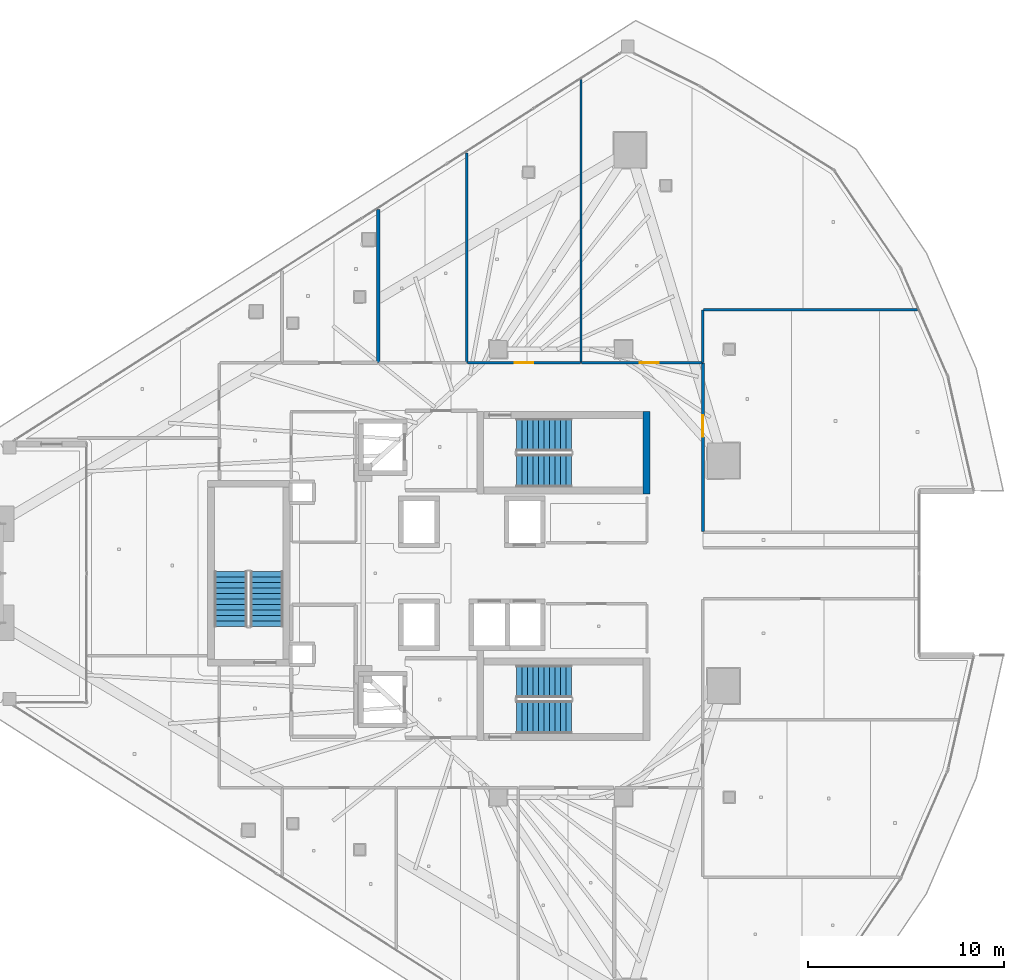
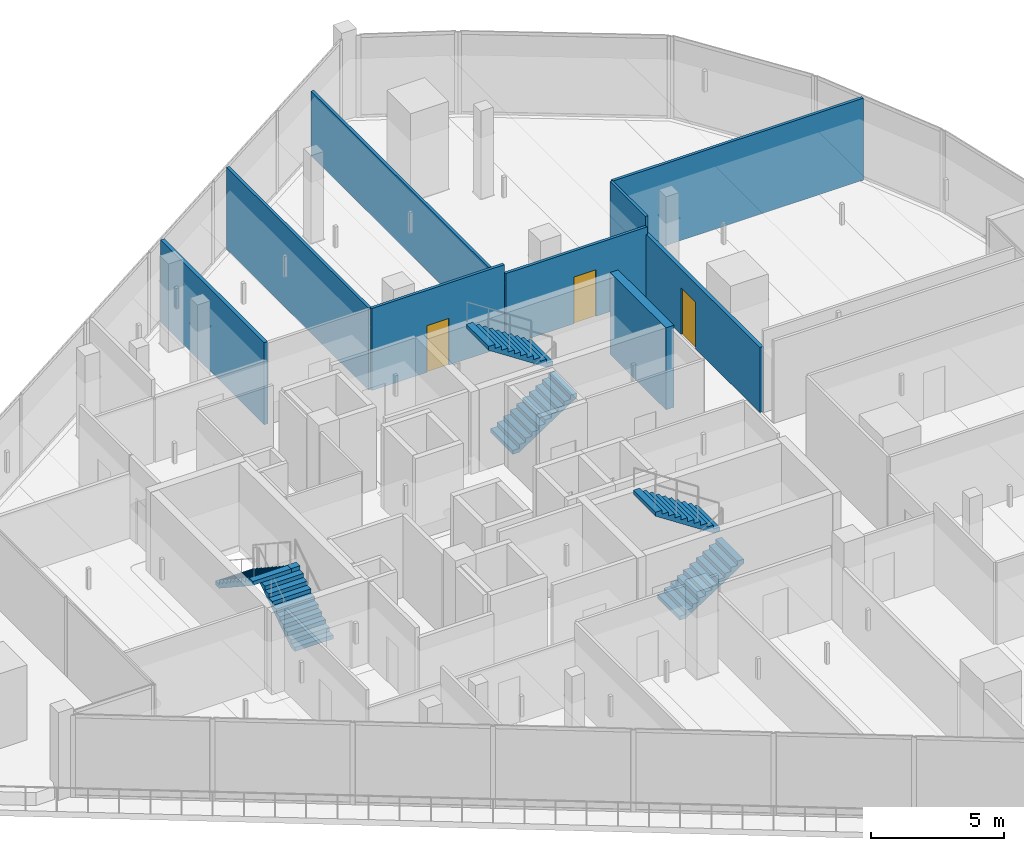
# One storey, part 28 of 36: 9 walls, 6 stair flights, 3 doors, 3 openings, 3 elements without a shape of their own.
"""IFC4 building model written with IfcOpenShell, lengths in metres."""

from ifc_helpers import new_model, si_unit, direction, frame, frame_2d, origin, place, context, subcontext, project, spatial, polyline, rectangle, outline, extrude, material, layer, layer_set, type_object, element, fill, aggregate, save


model = new_model("IFC4")

# Units and contexts
model_context = context("Model", 3, precision=1e-05, world=origin(), true_north=direction((0.0, 1.0)))
body_context = subcontext(model_context, "Body", "Model", "MODEL_VIEW")
ifc_project = project(units=[si_unit("LENGTHUNIT", "METRE"), si_unit("AREAUNIT", "SQUARE_METRE"), si_unit("VOLUMEUNIT", "CUBIC_METRE"), si_unit("PLANEANGLEUNIT", "RADIAN"), si_unit("MASSUNIT", "GRAM", prefix="KILO")], contexts=[model_context])

# Site, building, storey
site_placement = place(None, origin())
site = spatial("IfcSite", under=ifc_project, at=site_placement, CompositionType="ELEMENT")
building_placement = place(site_placement, origin())
building = spatial("IfcBuilding", under=site, at=building_placement, Name="Qorvath Tower", CompositionType="ELEMENT")
storey_placement = place(building_placement, frame((0.0, 0.0, 229.35009765625)))
storey = spatial("IfcBuildingStorey", under=building, at=storey_placement, Name="L53", CompositionType="ELEMENT", Elevation=229.35009765625)

# Wall
ifc_material_1 = material(Name="Double acoustic gypsum board on steel studs", Category="steel")
ifc_layer_1 = layer(ifc_material_1, 0.159912109375)
ifc_layer_set_1 = layer_set([ifc_layer_1], Name="IW-ACOUSTIC-160")
wall_type_1 = type_object("IfcWallType", Name="IW-ACOUSTIC-160", PredefinedType="PARTITIONING", material=ifc_layer_set_1)
wall_1_placement = place(storey_placement, frame((-29.73876953125, 10.783203125, 0.0), z_axis=(0.0, 0.0, 1.0), x_axis=(0.0, 1.0, 0.0)))
element("IfcWall", 1, at=wall_1_placement, inside=storey, type_object=wall_type_1, Name="Interior Partition IW-T1-L53-022", PredefinedType="PARTITIONING", context=body_context, shape_type="SweptSolid", body=[
    extrude(rectangle(XDim=7.81787109375, YDim=0.159912109375, at=frame_2d((3.908935546875, 0.0))), origin(), (0.0, 0.0, 1.0), 3.77978515625),
])

# Wall, opening, door
wall_2_placement = place(storey_placement, frame((-13.14208984375, 10.75830078125, 0.0), z_axis=(0.0, 0.0, 1.0), x_axis=(0.0, -1.0, 0.0)))
wall_2 = element("IfcWall", 2, at=wall_2_placement, inside=storey, type_object=wall_type_1, Name="Interior Partition IW-T1-L53-048", PredefinedType="PARTITIONING", context=body_context, shape_type="SweptSolid", body=[
    extrude(rectangle(XDim=8.6298828125, YDim=0.159912109375, at=frame_2d((4.31494140625, 0.0))), origin(), (0.0, 0.0, 1.0), 2.999755859375),
])
opening_1_placement = place(wall_2_placement, frame((2.689208984375, 0.0, 0.0)))
opening_1 = element("IfcOpeningElement", 3, at=opening_1_placement, cuts=wall_2, Name="Opening D-T1-L53-15", PredefinedType="OPENING", context=body_context, shape_type="SweptSolid", body=[
    extrude(rectangle(XDim=1.10009765625, YDim=2.14990234375, at=frame_2d((0.550048828125, 1.074951171875))), frame((0.0, 0.08984375, 0.0), z_axis=(0.0, -1.0, 0.0), x_axis=(1.0, 0.0, 0.0)), (0.0, 0.0, 1.0), 0.179931640625),
])
ifc_material_2 = material(Name="Anodised aluminium acoustic framed glass", Category="aluminium")
door_type_1 = type_object("IfcDoorType", Name="D-03", OperationType="NOTDEFINED", PredefinedType="DOOR", material=ifc_material_2)
door_1_placement = place(opening_1_placement, origin())
door_1 = element("IfcDoor", 4, at=door_1_placement, inside=storey, type_object=door_type_1, Name="L53-11 Enclosed Conference Suite Door D-T1-L53-15", OperationType="SINGLE_SWING_RIGHT", OverallHeight=2.14990234375, OverallWidth=1.10009765625, PredefinedType="DOOR", context=body_context, shape_type="SweptSolid", body=[
    extrude(rectangle(XDim=1.10009765625, YDim=2.14990234375, at=frame_2d((0.550048828125, 1.074951171875))), frame((0.0, 0.02490234375, 0.0), z_axis=(0.0, -1.0, 0.0), x_axis=(1.0, 0.0, 0.0)), (0.0, 0.0, 1.0), 0.050048828125),
])
fill(opening_1, door_1)

# Wall
ifc_material_3 = material(Name="Gypsum board on metal studs with mineral wool", Category="gypsum")
ifc_layer_2 = layer(ifc_material_3, 0.125)
ifc_layer_set_2 = layer_set([ifc_layer_2], Name="IW-PART-125")
wall_type_2 = type_object("IfcWallType", Name="IW-PART-125", PredefinedType="PARTITIONING", material=ifc_layer_set_2)
wall_3_placement = place(storey_placement, frame((-25.212890625, 10.783203125, 0.0), z_axis=(0.0, 0.0, 1.0), x_axis=(0.0, 1.0, 0.0)))
element("IfcWall", 5, at=wall_3_placement, inside=storey, type_object=wall_type_2, Name="Interior Partition IW-T1-L53-025", PredefinedType="PARTITIONING", context=body_context, shape_type="SweptSolid", body=[
    extrude(rectangle(XDim=10.71044921875, YDim=0.125, at=frame_2d((5.355224609375, 0.0))), origin(), (0.0, 0.0, 1.0), 3.77978515625),
])

# Wall, opening, door
wall_4_placement = place(storey_placement, frame((-25.1796875, 10.758056640625, 0.0), z_axis=(0.0, 0.0, 1.0), x_axis=(1.0, 0.0, 0.0)))
wall_4 = element("IfcWall", 6, at=wall_4_placement, inside=storey, type_object=wall_type_2, Name="Interior Partition IW-T1-L53-026", PredefinedType="PARTITIONING", context=body_context, shape_type="SweptSolid", body=[
    extrude(rectangle(XDim=5.78076171875, YDim=0.125, at=frame_2d((2.890380859375, 0.0))), origin(), (0.0, 0.0, 1.0), 3.77978515625),
])
opening_2_placement = place(wall_4_placement, frame((2.415283203125, 0.0, 0.0)))
opening_2 = element("IfcOpeningElement", 7, at=opening_2_placement, cuts=wall_4, Name="Opening D-T1-L53-07", PredefinedType="OPENING", context=body_context, shape_type="SweptSolid", body=[
    extrude(rectangle(XDim=0.949951171875, YDim=2.14990234375, at=frame_2d((0.47509765625, 1.074951171875))), frame((0.0, 0.072509765625, 0.0), z_axis=(0.0, -1.0, 0.0), x_axis=(1.0, 0.0, 0.0)), (0.0, 0.0, 1.0), 0.14501953125),
])
ifc_material_4 = material(Name="Solid-core American white oak veneer", Category="wood")
door_type_2 = type_object("IfcDoorType", Name="D-01", OperationType="NOTDEFINED", PredefinedType="DOOR", material=ifc_material_4)
door_2_placement = place(opening_2_placement, origin())
door_2 = element("IfcDoor", 8, at=door_2_placement, inside=storey, type_object=door_type_2, Name="L53-03 Staff Wellness Studio Door D-T1-L53-07", OperationType="SINGLE_SWING_RIGHT", OverallHeight=2.14990234375, OverallWidth=0.949951171875, PredefinedType="DOOR", context=body_context, shape_type="SweptSolid", body=[
    extrude(rectangle(XDim=0.949951171875, YDim=2.14990234375, at=frame_2d((0.47509765625, 1.074951171875))), frame((0.0, 0.02490234375, 0.0), z_axis=(0.0, -1.0, 0.0), x_axis=(1.0, 0.0, 0.0)), (0.0, 0.0, 1.0), 0.050048828125),
])
fill(opening_2, door_2)

# Wall
wall_5_placement = place(storey_placement, frame((-19.3740234375, 10.783203125, 0.0), z_axis=(0.0, 0.0, 1.0), x_axis=(0.0, 1.0, 0.0)))
element("IfcWall", 9, at=wall_5_placement, inside=storey, type_object=wall_type_2, Name="Interior Partition IW-T1-L53-027", PredefinedType="PARTITIONING", context=body_context, shape_type="SweptSolid", body=[
    extrude(rectangle(XDim=14.4423828125, YDim=0.125, at=frame_2d((7.22119140625, 0.0))), origin(), (0.0, 0.0, 1.0), 2.976806640625),
])

# Wall, opening, door
wall_6_placement = place(storey_placement, frame((-19.341064453125, 10.758056640625, 0.0), z_axis=(0.0, 0.0, 1.0), x_axis=(1.0, 0.0, 0.0)))
wall_6 = element("IfcWall", 10, at=wall_6_placement, inside=storey, type_object=wall_type_2, Name="Interior Partition IW-T1-L53-028", PredefinedType="PARTITIONING", context=body_context, shape_type="SweptSolid", body=[
    extrude(rectangle(XDim=6.166259765625, YDim=0.125, at=frame_2d((3.0830078125, 0.0))), origin(), (0.0, 0.0, 1.0), 3.343994140625),
])
opening_3_placement = place(wall_6_placement, frame((2.980712890625, 0.0, 0.0)))
opening_3 = element("IfcOpeningElement", 11, at=opening_3_placement, cuts=wall_6, Name="Opening D-T1-L53-08", PredefinedType="OPENING", context=body_context, shape_type="SweptSolid", body=[
    extrude(rectangle(XDim=0.949951171875, YDim=2.14990234375, at=frame_2d((0.47509765625, 1.074951171875))), frame((0.0, 0.072509765625, 0.0), z_axis=(0.0, -1.0, 0.0), x_axis=(1.0, 0.0, 0.0)), (0.0, 0.0, 1.0), 0.14501953125),
])
door_3_placement = place(opening_3_placement, origin())
door_3 = element("IfcDoor", 12, at=door_3_placement, inside=storey, type_object=door_type_2, Name="L53-04 Design Pin-Up Atelier Door D-T1-L53-08", OperationType="SINGLE_SWING_LEFT", OverallHeight=2.14990234375, OverallWidth=0.949951171875, PredefinedType="DOOR", context=body_context, shape_type="SweptSolid", body=[
    extrude(rectangle(XDim=0.949951171875, YDim=2.14990234375, at=frame_2d((0.47509765625, 1.074951171875))), frame((0.0, 0.02490234375, 0.0), z_axis=(0.0, -1.0, 0.0), x_axis=(1.0, 0.0, 0.0)), (0.0, 0.0, 1.0), 0.050048828125),
])
fill(opening_3, door_3)

# Walls
wall_7_placement = place(storey_placement, frame((-13.14990234375, 13.44677734375, 0.0), z_axis=(0.0, 0.0, 1.0), x_axis=(0.0, -1.0, 0.0)))
element("IfcWall", 13, at=wall_7_placement, inside=storey, type_object=wall_type_2, Name="Interior Partition IW-T1-L53-029", PredefinedType="PARTITIONING", context=body_context, shape_type="SweptSolid", body=[
    extrude(rectangle(XDim=2.66357421875, YDim=0.125, at=frame_2d((1.331787109375, 0.0))), origin(), (0.0, 0.0, 1.0), 3.77978515625),
])
wall_8_placement = place(storey_placement, frame((-13.125, 13.4716796875, 0.0), z_axis=(0.0, 0.0, 1.0), x_axis=(0.999999760561, 0.00069201046, 0.0)))
element("IfcWall", 14, at=wall_8_placement, inside=storey, type_object=wall_type_2, Name="Interior Partition IW-T1-L53-030", PredefinedType="PARTITIONING", context=body_context, shape_type="SweptSolid", body=[
    extrude(rectangle(XDim=10.936767578125, YDim=0.125, at=frame_2d((5.46826171875, 0.0))), origin(), (0.0, 0.0, 1.0), 3.77978515625),
])
ifc_material_5 = material(Name="Concrete C60/75", Category="concrete")
ifc_layer_3 = layer(ifc_material_5, 0.35009765625)
ifc_layer_set_3 = layer_set([ifc_layer_3], Name="SW-STAIR")
wall_type_3 = type_object("IfcWallType", Name="SW-STAIR", PredefinedType="SHEAR", material=ifc_layer_set_3)
wall_9_placement = place(storey_placement, frame((-16.02490234375, 4.050048828125, 0.0), z_axis=(0.0, 0.0, 1.0), x_axis=(0.0, 1.0, 0.0)))
element("IfcWall", 15, at=wall_9_placement, inside=storey, type_object=wall_type_3, Name="Stair TS1 Shear Wall L53 FAR", PredefinedType="SHEAR", context=body_context, shape_type="SweptSolid", body=[
    extrude(rectangle(XDim=4.2099609375, YDim=0.35009765625, at=frame_2d((2.10498046875, 0.0))), origin(), (0.0, 0.0, 1.0), 3.77978515625),
])

# Stair, stair flights
ifc_material_6 = material(Name="Concrete C50/60", Category="concrete")
stair_type = type_object("IfcStairType", Name="ST-H405", PredefinedType="HALF_TURN_STAIR", material=ifc_material_6)
stair_1_placement = place(storey_placement, origin())
stair_1 = element("IfcStair", 16, at=stair_1_placement, inside=storey, type_object=stair_type, Name="L53 Tower Exit Stair 1", PredefinedType="HALF_TURN_STAIR")
ifc_material_7 = material(Name="Concrete C50/60", Category="concrete")
ifc_layer_4 = layer(ifc_material_7, 0.14990234375)
ifc_layer_set_4 = layer_set([ifc_layer_4], Name="SF-H405")
stair_flight_type = type_object("IfcStairFlightType", Name="SF-H405", PredefinedType="STRAIGHT", material=ifc_layer_set_4)
stair_flight_1_placement = place(storey_placement, frame((-22.669921875, 5.239990234375, 0.0), z_axis=(0.0, 0.0, 1.0), x_axis=(1.0, 0.0, 0.0)))
stair_flight_1 = element("IfcStairFlight", 17, at=stair_flight_1_placement, type_object=stair_flight_type, Name="TS1 flight 1", NumberOfRisers=11, NumberOfTreads=10, PredefinedType="STRAIGHT", RiserHeight=0.184090909, TreadLength=0.28, context=body_context, shape_type="SweptSolid", body=[
    extrude(outline(polyline([(0.0, 0.0), (0.0, 0.18408203125), (0.280029296875, 0.18408203125), (0.280029296875, 0.3681640625), (0.56005859375, 0.3681640625), (0.56005859375, 0.55224609375), (0.840087890625, 0.55224609375), (0.840087890625, 0.736328125), (1.1201171875, 0.736328125), (1.1201171875, 0.92041015625), (1.39990234375, 0.92041015625), (1.39990234375, 1.1044921875), (1.679931640625, 1.1044921875), (1.679931640625, 1.28857421875), (1.9599609375, 1.28857421875), (1.9599609375, 1.47265625), (2.239990234375, 1.47265625), (2.239990234375, 1.65673828125), (2.52001953125, 1.65673828125), (2.52001953125, 1.8408203125), (2.800048828125, 1.8408203125), (2.800048828125, 2.02490234375), (2.800048828125, 1.66162109375), (0.27294921875, 0.0), (0.0, 0.0)])), frame((0.0, 0.83984375, 0.0), z_axis=(0.0, -1.0, 0.0), x_axis=(1.0, 0.0, 0.0)), (0.0, 0.0, 1.0), 1.679931640625),
])
stair_flight_2_placement = place(storey_placement, frame((-19.8701171875, 7.070068359375, 2.02490234375), z_axis=(0.0, 0.0, 1.0), x_axis=(-1.0, 0.0, 0.0)))
stair_flight_2 = element("IfcStairFlight", 18, at=stair_flight_2_placement, type_object=stair_flight_type, Name="TS1 flight 2", NumberOfRisers=11, NumberOfTreads=10, PredefinedType="STRAIGHT", RiserHeight=0.184090909, TreadLength=0.28, context=body_context, shape_type="SweptSolid", body=[
    extrude(outline(polyline([(0.0, 0.0), (0.0, 0.18408203125), (0.280029296875, 0.18408203125), (0.280029296875, 0.3681640625), (0.56005859375, 0.3681640625), (0.56005859375, 0.55224609375), (0.840087890625, 0.55224609375), (0.840087890625, 0.736328125), (1.1201171875, 0.736328125), (1.1201171875, 0.92041015625), (1.39990234375, 0.92041015625), (1.39990234375, 1.1044921875), (1.679931640625, 1.1044921875), (1.679931640625, 1.28857421875), (1.9599609375, 1.28857421875), (1.9599609375, 1.47265625), (2.239990234375, 1.47265625), (2.239990234375, 1.65673828125), (2.52001953125, 1.65673828125), (2.52001953125, 1.8408203125), (2.800048828125, 1.8408203125), (2.800048828125, 2.02490234375), (2.800048828125, 1.66162109375), (0.27294921875, 0.0), (0.0, 0.0)])), frame((0.0, 0.83984375, 0.0), z_axis=(0.0, -1.0, 0.0), x_axis=(1.0, 0.0, 0.0)), (0.0, 0.0, 1.0), 1.679931640625),
])
aggregate(stair_1, [stair_flight_1, stair_flight_2])

stair_2_placement = place(storey_placement, origin())
stair_2 = element("IfcStair", 19, at=stair_2_placement, inside=storey, type_object=stair_type, Name="L53 Tower Exit Stair 2", PredefinedType="HALF_TURN_STAIR")
stair_flight_3_placement = place(storey_placement, frame((-22.669921875, -7.360107421875, 0.0), z_axis=(0.0, 0.0, 1.0), x_axis=(1.0, 0.0, 0.0)))
stair_flight_3 = element("IfcStairFlight", 20, at=stair_flight_3_placement, type_object=stair_flight_type, Name="TS2 flight 1", NumberOfRisers=11, NumberOfTreads=10, PredefinedType="STRAIGHT", RiserHeight=0.184090909, TreadLength=0.28, context=body_context, shape_type="SweptSolid", body=[
    extrude(outline(polyline([(0.0, 0.0), (0.0, 0.18408203125), (0.280029296875, 0.18408203125), (0.280029296875, 0.3681640625), (0.56005859375, 0.3681640625), (0.56005859375, 0.55224609375), (0.840087890625, 0.55224609375), (0.840087890625, 0.736328125), (1.1201171875, 0.736328125), (1.1201171875, 0.92041015625), (1.39990234375, 0.92041015625), (1.39990234375, 1.1044921875), (1.679931640625, 1.1044921875), (1.679931640625, 1.28857421875), (1.9599609375, 1.28857421875), (1.9599609375, 1.47265625), (2.239990234375, 1.47265625), (2.239990234375, 1.65673828125), (2.52001953125, 1.65673828125), (2.52001953125, 1.8408203125), (2.800048828125, 1.8408203125), (2.800048828125, 2.02490234375), (2.800048828125, 1.66162109375), (0.27294921875, 0.0), (0.0, 0.0)])), frame((0.0, 0.83984375, 0.0), z_axis=(0.0, -1.0, 0.0), x_axis=(1.0, 0.0, 0.0)), (0.0, 0.0, 1.0), 1.679931640625),
])
stair_flight_4_placement = place(storey_placement, frame((-19.8701171875, -5.530029296875, 2.02490234375), z_axis=(0.0, 0.0, 1.0), x_axis=(-1.0, 0.0, 0.0)))
stair_flight_4 = element("IfcStairFlight", 21, at=stair_flight_4_placement, type_object=stair_flight_type, Name="TS2 flight 2", NumberOfRisers=11, NumberOfTreads=10, PredefinedType="STRAIGHT", RiserHeight=0.184090909, TreadLength=0.28, context=body_context, shape_type="SweptSolid", body=[
    extrude(outline(polyline([(0.0, 0.0), (0.0, 0.18408203125), (0.280029296875, 0.18408203125), (0.280029296875, 0.3681640625), (0.56005859375, 0.3681640625), (0.56005859375, 0.55224609375), (0.840087890625, 0.55224609375), (0.840087890625, 0.736328125), (1.1201171875, 0.736328125), (1.1201171875, 0.92041015625), (1.39990234375, 0.92041015625), (1.39990234375, 1.1044921875), (1.679931640625, 1.1044921875), (1.679931640625, 1.28857421875), (1.9599609375, 1.28857421875), (1.9599609375, 1.47265625), (2.239990234375, 1.47265625), (2.239990234375, 1.65673828125), (2.52001953125, 1.65673828125), (2.52001953125, 1.8408203125), (2.800048828125, 1.8408203125), (2.800048828125, 2.02490234375), (2.800048828125, 1.66162109375), (0.27294921875, 0.0), (0.0, 0.0)])), frame((0.0, 0.83984375, 0.0), z_axis=(0.0, -1.0, 0.0), x_axis=(1.0, 0.0, 0.0)), (0.0, 0.0, 1.0), 1.679931640625),
])
aggregate(stair_2, [stair_flight_3, stair_flight_4])

stair_3_placement = place(storey_placement, origin())
stair_3 = element("IfcStair", 22, at=stair_3_placement, inside=storey, type_object=stair_type, Name="L53 Tower Exit Stair 3", PredefinedType="HALF_TURN_STAIR")
stair_flight_5_placement = place(storey_placement, frame((-35.43994140625, -2.719970703125, 0.0), z_axis=(0.0, 0.0, 1.0), x_axis=(0.0, 1.0, 0.0)))
stair_flight_5 = element("IfcStairFlight", 23, at=stair_flight_5_placement, type_object=stair_flight_type, Name="TS3 flight 1", NumberOfRisers=11, NumberOfTreads=10, PredefinedType="STRAIGHT", RiserHeight=0.184090909, TreadLength=0.28, context=body_context, shape_type="SweptSolid", body=[
    extrude(outline(polyline([(0.0, 0.0), (0.0, 0.18408203125), (0.280029296875, 0.18408203125), (0.280029296875, 0.3681640625), (0.56005859375, 0.3681640625), (0.56005859375, 0.55224609375), (0.840087890625, 0.55224609375), (0.840087890625, 0.736328125), (1.1201171875, 0.736328125), (1.1201171875, 0.92041015625), (1.39990234375, 0.92041015625), (1.39990234375, 1.1044921875), (1.679931640625, 1.1044921875), (1.679931640625, 1.28857421875), (1.9599609375, 1.28857421875), (1.9599609375, 1.47265625), (2.239990234375, 1.47265625), (2.239990234375, 1.65673828125), (2.52001953125, 1.65673828125), (2.52001953125, 1.8408203125), (2.800048828125, 1.8408203125), (2.800048828125, 2.02490234375), (2.800048828125, 1.66162109375), (0.27294921875, 0.0), (0.0, 0.0)])), frame((0.0, 0.83984375, 0.0), z_axis=(0.0, -1.0, 0.0), x_axis=(1.0, 0.0, 0.0)), (0.0, 0.0, 1.0), 1.679931640625),
])
stair_flight_6_placement = place(storey_placement, frame((-37.27001953125, 0.080078125, 2.02490234375), z_axis=(0.0, 0.0, 1.0), x_axis=(0.0, -1.0, 0.0)))
stair_flight_6 = element("IfcStairFlight", 24, at=stair_flight_6_placement, type_object=stair_flight_type, Name="TS3 flight 2", NumberOfRisers=11, NumberOfTreads=10, PredefinedType="STRAIGHT", RiserHeight=0.184090909, TreadLength=0.28, context=body_context, shape_type="SweptSolid", body=[
    extrude(outline(polyline([(0.0, 0.0), (0.0, 0.18408203125), (0.280029296875, 0.18408203125), (0.280029296875, 0.3681640625), (0.56005859375, 0.3681640625), (0.56005859375, 0.55224609375), (0.840087890625, 0.55224609375), (0.840087890625, 0.736328125), (1.1201171875, 0.736328125), (1.1201171875, 0.92041015625), (1.39990234375, 0.92041015625), (1.39990234375, 1.1044921875), (1.679931640625, 1.1044921875), (1.679931640625, 1.28857421875), (1.9599609375, 1.28857421875), (1.9599609375, 1.47265625), (2.239990234375, 1.47265625), (2.239990234375, 1.65673828125), (2.52001953125, 1.65673828125), (2.52001953125, 1.8408203125), (2.800048828125, 1.8408203125), (2.800048828125, 2.02490234375), (2.800048828125, 1.66162109375), (0.27294921875, 0.0), (0.0, 0.0)])), frame((0.0, 0.83984375, 0.0), z_axis=(0.0, -1.0, 0.0), x_axis=(1.0, 0.0, 0.0)), (0.0, 0.0, 1.0), 1.679931640625),
])
aggregate(stair_3, [stair_flight_5, stair_flight_6])

save(model, "model.ifc")
